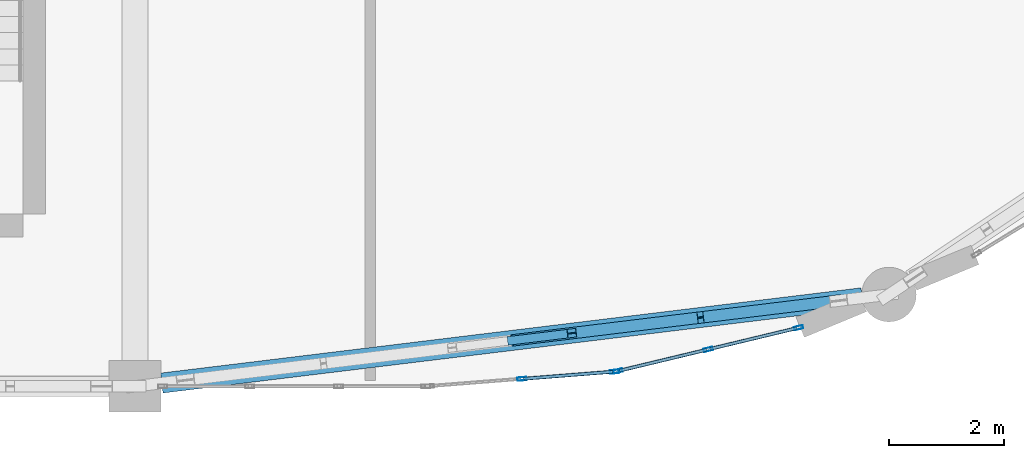
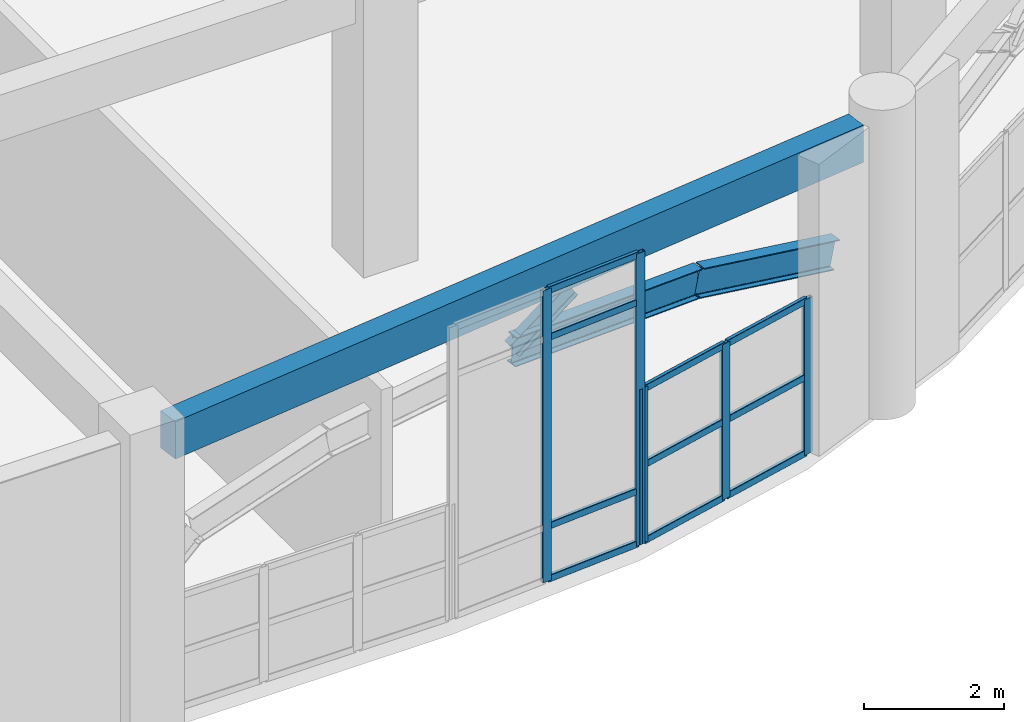
# One storey, part 54 of 114: 16 members, 3 beams, 2 elements without a shape of their own.
"""IFC4 building model written with IfcOpenShell, lengths in metres."""

from ifc_helpers import new_model, si_unit, derived_unit, direction, frame, origin, origin_2d, place, context, subcontext, project, spatial, rectangle, hollow_rectangle, i_section, extrude, material, layer, layer_set, material_profile, profile_set, type_object, element, aggregate, save


model = new_model("IFC4")

# Units and contexts
model_context = context("Model", 3, precision=1e-05, world=origin(), true_north=direction((0.0, 1.0)))
body_context = subcontext(model_context, "Body", "Model", "MODEL_VIEW")
ifc_project = project(units=[si_unit("LENGTHUNIT", "METRE"), si_unit("AREAUNIT", "SQUARE_METRE"), si_unit("VOLUMEUNIT", "CUBIC_METRE"), si_unit("PLANEANGLEUNIT", "RADIAN"), si_unit("MASSUNIT", "GRAM", prefix="KILO"), derived_unit("THERMALTRANSMITTANCEUNIT", [(si_unit("MASSUNIT", "GRAM", prefix="KILO"), 1), (si_unit("TIMEUNIT", "SECOND"), -3), (si_unit("THERMODYNAMICTEMPERATUREUNIT", "KELVIN"), -1)])], contexts=[model_context])

# Site, building, storey
site_placement = place(None, origin())
site = spatial("IfcSite", under=ifc_project, at=site_placement, CompositionType="ELEMENT")
building_placement = place(site_placement, origin())
building = spatial("IfcBuilding", under=site, at=building_placement, Name="Qinzheling Arcade Emporium", CompositionType="ELEMENT")
storey_placement = place(building_placement, frame((0.0, 0.0, 6.0)))
storey = spatial("IfcBuildingStorey", under=building, at=storey_placement, Name="L02", CompositionType="ELEMENT", Elevation=6.0)

# Beams
ifc_material_1 = material(Name="Weathering steel Q355NH", Category="steel")
ifc_material_profile_1 = material_profile(ifc_material_1, i_section(OverallWidth=0.199951171875, OverallDepth=0.5, WebThickness=0.010009765625, FlangeThickness=0.01611328125, FilletRadius=0.01806640625, at=origin_2d()), Name="HN 500x200x10x16", Category="steel")
ifc_profile_set_1 = profile_set([ifc_material_profile_1], Name="Weathering steel Q355NH")
beam_type_1 = type_object("IfcBeamType", Name="Arcade End Arch Rib HN500 Q355NH", PredefinedType="BEAM", material=ifc_profile_set_1)
beam_1_placement = place(storey_placement, frame((154.468017578125, 0.799072265625, 3.68505859375), z_axis=(0.991013705367, 0.12068102367, -0.057688181645), x_axis=(-0.120882335048, 0.99266684294, 0.0)))
element("IfcBeam", 1, at=beam_1_placement, inside=storey, type_object=beam_type_1, Name="Curved Arcade Entrance Arch ARC-L02-CV4-B01-C04", PredefinedType="BEAM", context=body_context, shape_type="SweptSolid", body=[
    extrude(i_section(OverallWidth=0.199951171875, OverallDepth=0.5, WebThickness=0.010009765625, FlangeThickness=0.01611328125, FilletRadius=0.01806640625, at=origin_2d()), origin(), (0.0, 0.0, 1.0), 3.313720703125),
])
beam_2_placement = place(storey_placement, frame((157.751953125, 1.198974609375, 3.493896484375), z_axis=(0.970454612125, 0.118263992541, -0.210312800069), x_axis=(-0.120969580346, 0.992656214724, 0.0)))
element("IfcBeam", 2, at=beam_2_placement, inside=storey, type_object=beam_type_1, Name="Curved Arcade Entrance Arch ARC-L02-CV4-B01-C05", PredefinedType="BEAM", context=body_context, shape_type="SweptSolid", body=[
    extrude(i_section(OverallWidth=0.199951171875, OverallDepth=0.5, WebThickness=0.010009765625, FlangeThickness=0.01611328125, FilletRadius=0.01806640625, at=origin_2d()), origin(), (0.0, 0.0, 1.0), 2.477294921875),
])

# Member
ifc_material_profile_2 = material_profile(ifc_material_1, i_section(OverallWidth=0.14990234375, OverallDepth=0.300048828125, WebThickness=0.006591796875, FlangeThickness=0.009033203125, FilletRadius=0.012939453125, at=origin_2d()), Name="HN 300x150x6.5x9", Category="steel")
ifc_profile_set_2 = profile_set([ifc_material_profile_2], Name="Weathering steel Q355NH")
member_type_1 = type_object("IfcMemberType", Name="Arcade Spandrel Web Chord HN300 Q355NH", PredefinedType="CHORD", material=ifc_profile_set_2)
member_1_placement = place(storey_placement, frame((154.468017578125, 0.799072265625, 3.695068359375), z_axis=(0.847588772693, 0.103267610544, 0.520508475452), x_axis=(-0.120942582545, 0.992659504426, 0.0)))
element("IfcMember", 3, at=member_1_placement, inside=storey, type_object=member_type_1, Name="Arcade Spandrel Web Chord ASW-L02-CV4-B01-W2", PredefinedType="CHORD", context=body_context, shape_type="SweptSolid", body=[
    extrude(i_section(OverallWidth=0.14990234375, OverallDepth=0.300048828125, WebThickness=0.006591796875, FlangeThickness=0.009033203125, FilletRadius=0.012939453125, at=origin_2d()), origin(), (0.0, 0.0, 1.0), 1.229248046875),
])

# Curtain wall, members
ifc_material_2 = material(Name="Anodised aluminium and solar-control double glazing", Category="aluminium")
ifc_layer = layer(ifc_material_2, 0.159912109375, Name="Anodised aluminium and solar-control double glazing", Category="aluminium")
ifc_layer_set = layer_set([ifc_layer], Name="Anodised aluminium and solar-control double glazing")
curtain_wall_type = type_object("IfcCurtainWallType", Name="Curved Ribbon Sales Curtain Wall", PredefinedType="NOTDEFINED", material=ifc_layer_set)
curtain_wall_1_placement = place(storey_placement, origin())
curtain_wall_1 = element("IfcCurtainWall", 4, at=curtain_wall_1_placement, inside=storey, type_object=curtain_wall_type, Name="Curtain Wall CW-L02-055", PredefinedType="NOTDEFINED")
ifc_material_3 = material(Name="Anodised aluminium 6063-T6", Category="aluminium")
ifc_material_profile_3 = material_profile(ifc_material_3, hollow_rectangle(XDim=0.06005859375, YDim=0.159912109375, WallThickness=0.00390625, InnerFilletRadius=0.00390625, OuterFilletRadius=0.008056640625, at=origin_2d()), Name="RHS 160x60x4", Category="aluminium")
ifc_profile_set_3 = profile_set([ifc_material_profile_3], Name="Anodised aluminium 6063-T6")
member_type_2 = type_object("IfcMemberType", Name="Curtain Wall Mullion RHS160x60", PredefinedType="MULLION", material=ifc_profile_set_3)
member_2_placement = place(storey_placement, frame((159.459716796875, 1.02099609375, 0.0), z_axis=(0.0, 0.0, 1.0), x_axis=(0.233384430923, -0.972384547081, 0.0)))
member_2 = element("IfcMember", 5, at=member_2_placement, type_object=member_type_2, Name="CW02 mullion 1", PredefinedType="MULLION", context=body_context, shape_type="SweptSolid", body=[
    extrude(hollow_rectangle(XDim=0.06005859375, YDim=0.159912109375, WallThickness=0.00390625, InnerFilletRadius=0.00390625, OuterFilletRadius=0.008056640625, at=origin_2d()), origin(), (0.0, 0.0, 1.0), 2.7080078125),
])
member_3_placement = place(storey_placement, frame((157.886962890625, 0.6435546875, 0.0), z_axis=(0.0, 0.0, 1.0), x_axis=(0.233384430923, -0.972384547081, 0.0)))
member_3 = element("IfcMember", 6, at=member_3_placement, type_object=member_type_2, Name="CW02 mullion 2", PredefinedType="MULLION", context=body_context, shape_type="SweptSolid", body=[
    extrude(hollow_rectangle(XDim=0.06005859375, YDim=0.159912109375, WallThickness=0.00390625, InnerFilletRadius=0.00390625, OuterFilletRadius=0.008056640625, at=origin_2d()), origin(), (0.0, 0.0, 1.0), 2.7080078125),
])
member_4_placement = place(storey_placement, frame((156.314208984375, 0.26611328125, 0.0), z_axis=(0.0, 0.0, 1.0), x_axis=(0.233384430923, -0.972384547081, 0.0)))
member_4 = element("IfcMember", 7, at=member_4_placement, type_object=member_type_2, Name="CW02 mullion 3", PredefinedType="MULLION", context=body_context, shape_type="SweptSolid", body=[
    extrude(hollow_rectangle(XDim=0.06005859375, YDim=0.159912109375, WallThickness=0.00390625, InnerFilletRadius=0.00390625, OuterFilletRadius=0.008056640625, at=origin_2d()), origin(), (0.0, 0.0, 1.0), 2.7080078125),
])

curtain_wall_2_placement = place(storey_placement, origin())
curtain_wall_2 = element("IfcCurtainWall", 8, at=curtain_wall_2_placement, inside=storey, type_object=curtain_wall_type, Name="Curtain Wall CW-L02-056", PredefinedType="NOTDEFINED")
member_5_placement = place(storey_placement, frame((156.255126953125, 0.256591796875, 0.0), z_axis=(0.0, 0.0, 1.0), x_axis=(0.078599308618, -0.996906288818, 0.0)))
member_5 = element("IfcMember", 9, at=member_5_placement, type_object=member_type_2, Name="CW02 mullion 1", PredefinedType="MULLION", context=body_context, shape_type="SweptSolid", body=[
    extrude(hollow_rectangle(XDim=0.06005859375, YDim=0.159912109375, WallThickness=0.00390625, InnerFilletRadius=0.00390625, OuterFilletRadius=0.008056640625, at=origin_2d()), origin(), (0.0, 0.0, 1.0), 5.090087890625),
])
member_6_placement = place(storey_placement, frame((154.642578125, 0.12939453125, 0.0), z_axis=(0.0, 0.0, 1.0), x_axis=(0.078599308618, -0.996906288818, 0.0)))
member_6 = element("IfcMember", 10, at=member_6_placement, type_object=member_type_2, Name="CW02 mullion 2", PredefinedType="MULLION", context=body_context, shape_type="SweptSolid", body=[
    extrude(hollow_rectangle(XDim=0.06005859375, YDim=0.159912109375, WallThickness=0.00390625, InnerFilletRadius=0.00390625, OuterFilletRadius=0.008056640625, at=origin_2d()), origin(), (0.0, 0.0, 1.0), 5.090087890625),
])

# Member
ifc_material_profile_4 = material_profile(ifc_material_3, hollow_rectangle(XDim=0.06005859375, YDim=0.1201171875, WallThickness=0.00390625, InnerFilletRadius=0.00390625, OuterFilletRadius=0.008056640625, at=origin_2d()), Name="RHS 120x60x4", Category="aluminium")
ifc_profile_set_4 = profile_set([ifc_material_profile_4], Name="Anodised aluminium 6063-T6")
member_type_3 = type_object("IfcMemberType", Name="Curtain Wall Transom RHS120x60", PredefinedType="USERDEFINED", material=ifc_profile_set_4)
member_7_placement = place(storey_placement, frame((159.4306640625, 1.013916015625, 0.030029296875), z_axis=(-0.972377340601, -0.233414454321, 0.0), x_axis=(0.233414454321, -0.972377340601, 0.0)))
member_7 = element("IfcMember", 11, at=member_7_placement, type_object=member_type_3, Name="CW02 transom 1.1", ObjectType="TRANSOM", PredefinedType="USERDEFINED", context=body_context, shape_type="SweptSolid", body=[
    extrude(hollow_rectangle(XDim=0.06005859375, YDim=0.1201171875, WallThickness=0.00390625, InnerFilletRadius=0.00390625, OuterFilletRadius=0.008056640625, at=origin_2d()), origin(), (0.0, 0.0, 1.0), 1.557373046875),
])

member_8_placement = place(storey_placement, frame((159.4306640625, 1.013916015625, 1.35400390625), z_axis=(-0.972377340601, -0.233414454321, 0.0), x_axis=(0.233414454321, -0.972377340601, 0.0)))
member_8 = element("IfcMember", 12, at=member_8_placement, type_object=member_type_3, Name="CW02 transom 1.2", ObjectType="TRANSOM", PredefinedType="USERDEFINED", context=body_context, shape_type="SweptSolid", body=[
    extrude(hollow_rectangle(XDim=0.06005859375, YDim=0.1201171875, WallThickness=0.00390625, InnerFilletRadius=0.00390625, OuterFilletRadius=0.008056640625, at=origin_2d()), origin(), (0.0, 0.0, 1.0), 1.557373046875),
])

member_9_placement = place(storey_placement, frame((159.4306640625, 1.013916015625, 2.677978515625), z_axis=(-0.972377340601, -0.233414454321, 0.0), x_axis=(0.233414454321, -0.972377340601, 0.0)))
member_9 = element("IfcMember", 13, at=member_9_placement, type_object=member_type_3, Name="CW02 transom 1.3", ObjectType="TRANSOM", PredefinedType="USERDEFINED", context=body_context, shape_type="SweptSolid", body=[
    extrude(hollow_rectangle(XDim=0.06005859375, YDim=0.1201171875, WallThickness=0.00390625, InnerFilletRadius=0.00390625, OuterFilletRadius=0.008056640625, at=origin_2d()), origin(), (0.0, 0.0, 1.0), 1.557373046875),
])

member_10_placement = place(storey_placement, frame((157.85791015625, 0.636474609375, 0.030029296875), z_axis=(-0.972385879252, -0.233378880433, 0.0), x_axis=(0.233378880433, -0.972385879252, 0.0)))
member_10 = element("IfcMember", 14, at=member_10_placement, type_object=member_type_3, Name="CW02 transom 2.1", ObjectType="TRANSOM", PredefinedType="USERDEFINED", context=body_context, shape_type="SweptSolid", body=[
    extrude(hollow_rectangle(XDim=0.06005859375, YDim=0.1201171875, WallThickness=0.00390625, InnerFilletRadius=0.00390625, OuterFilletRadius=0.008056640625, at=origin_2d()), origin(), (0.0, 0.0, 1.0), 1.5576171875),
])

member_11_placement = place(storey_placement, frame((157.85791015625, 0.636474609375, 1.35400390625), z_axis=(-0.972385879252, -0.233378880433, 0.0), x_axis=(0.233378880433, -0.972385879252, 0.0)))
member_11 = element("IfcMember", 15, at=member_11_placement, type_object=member_type_3, Name="CW02 transom 2.2", ObjectType="TRANSOM", PredefinedType="USERDEFINED", context=body_context, shape_type="SweptSolid", body=[
    extrude(hollow_rectangle(XDim=0.06005859375, YDim=0.1201171875, WallThickness=0.00390625, InnerFilletRadius=0.00390625, OuterFilletRadius=0.008056640625, at=origin_2d()), origin(), (0.0, 0.0, 1.0), 1.5576171875),
])

member_12_placement = place(storey_placement, frame((157.85791015625, 0.636474609375, 2.677978515625), z_axis=(-0.972385879252, -0.233378880433, 0.0), x_axis=(0.233378880433, -0.972385879252, 0.0)))
member_12 = element("IfcMember", 16, at=member_12_placement, type_object=member_type_3, Name="CW02 transom 2.3", ObjectType="TRANSOM", PredefinedType="USERDEFINED", context=body_context, shape_type="SweptSolid", body=[
    extrude(hollow_rectangle(XDim=0.06005859375, YDim=0.1201171875, WallThickness=0.00390625, InnerFilletRadius=0.00390625, OuterFilletRadius=0.008056640625, at=origin_2d()), origin(), (0.0, 0.0, 1.0), 1.5576171875),
])

aggregate(curtain_wall_1, [member_2, member_3, member_4, member_7, member_8, member_9, member_10, member_11, member_12])

member_13_placement = place(storey_placement, frame((156.22509765625, 0.25439453125, 0.030029296875), z_axis=(-0.996899443042, -0.078686088114, 0.0), x_axis=(0.078686088114, -0.996899443042, 0.0)))
member_13 = element("IfcMember", 17, at=member_13_placement, type_object=member_type_3, Name="CW02 transom 1.1", ObjectType="TRANSOM", PredefinedType="USERDEFINED", context=body_context, shape_type="SweptSolid", body=[
    extrude(hollow_rectangle(XDim=0.06005859375, YDim=0.1201171875, WallThickness=0.00390625, InnerFilletRadius=0.00390625, OuterFilletRadius=0.008056640625, at=origin_2d()), origin(), (0.0, 0.0, 1.0), 1.5576171875),
])

member_14_placement = place(storey_placement, frame((156.22509765625, 0.25439453125, 0.949951171875), z_axis=(-0.996899443042, -0.078686088114, 0.0), x_axis=(0.078686088114, -0.996899443042, 0.0)))
member_14 = element("IfcMember", 18, at=member_14_placement, type_object=member_type_3, Name="CW02 transom 1.2", ObjectType="TRANSOM", PredefinedType="USERDEFINED", context=body_context, shape_type="SweptSolid", body=[
    extrude(hollow_rectangle(XDim=0.06005859375, YDim=0.1201171875, WallThickness=0.00390625, InnerFilletRadius=0.00390625, OuterFilletRadius=0.008056640625, at=origin_2d()), origin(), (0.0, 0.0, 1.0), 1.5576171875),
])

member_15_placement = place(storey_placement, frame((156.22509765625, 0.25439453125, 4.239990234375), z_axis=(-0.996899443042, -0.078686088114, 0.0), x_axis=(0.078686088114, -0.996899443042, 0.0)))
member_15 = element("IfcMember", 19, at=member_15_placement, type_object=member_type_3, Name="CW02 transom 1.3", ObjectType="TRANSOM", PredefinedType="USERDEFINED", context=body_context, shape_type="SweptSolid", body=[
    extrude(hollow_rectangle(XDim=0.06005859375, YDim=0.1201171875, WallThickness=0.00390625, InnerFilletRadius=0.00390625, OuterFilletRadius=0.008056640625, at=origin_2d()), origin(), (0.0, 0.0, 1.0), 1.5576171875),
])

member_16_placement = place(storey_placement, frame((156.22509765625, 0.25439453125, 5.06005859375), z_axis=(-0.996899443042, -0.078686088114, 0.0), x_axis=(0.078686088114, -0.996899443042, 0.0)))
member_16 = element("IfcMember", 20, at=member_16_placement, type_object=member_type_3, Name="CW02 transom 1.4", ObjectType="TRANSOM", PredefinedType="USERDEFINED", context=body_context, shape_type="SweptSolid", body=[
    extrude(hollow_rectangle(XDim=0.06005859375, YDim=0.1201171875, WallThickness=0.00390625, InnerFilletRadius=0.00390625, OuterFilletRadius=0.008056640625, at=origin_2d()), origin(), (0.0, 0.0, 1.0), 1.5576171875),
])

aggregate(curtain_wall_2, [member_5, member_6, member_13, member_14, member_15, member_16])

# Beam
ifc_material_4 = material(Name="Concrete C40", Category="concrete")
ifc_material_profile_5 = material_profile(ifc_material_4, rectangle(XDim=0.35009765625, YDim=0.64990234375, at=origin_2d()), Name="RC 350x650", Category="concrete")
ifc_profile_set_5 = profile_set([ifc_material_profile_5], Name="Concrete C40")
beam_type_2 = type_object("IfcBeamType", Name="RC Spandrel Edge Beam 350x650 C40", PredefinedType="SPANDREL", material=ifc_profile_set_5)
beam_3_placement = place(storey_placement, frame((148.366943359375, 0.056884765625, 4.780029296875), z_axis=(0.992674779847, 0.120817140572, 0.0), x_axis=(-0.120817140572, 0.992674779847, 0.0)))
element("IfcBeam", 21, at=beam_3_placement, inside=storey, type_object=beam_type_2, Name="Curved Arcade Spandrel BM-L02-CV4-B01", PredefinedType="SPANDREL", context=body_context, shape_type="SweptSolid", body=[
    extrude(rectangle(XDim=0.35009765625, YDim=0.64990234375, at=origin_2d()), origin(), (0.0, 0.0, 1.0), 12.292236328125),
])

save(model, "model.ifc")
